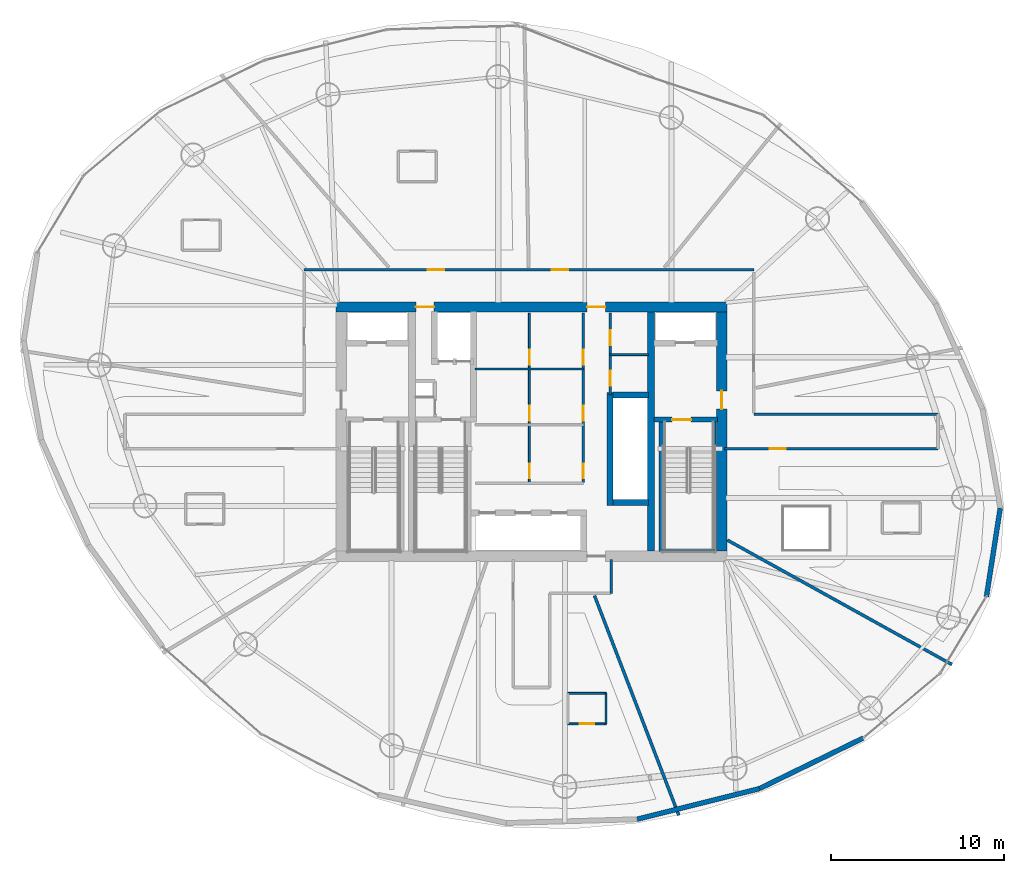
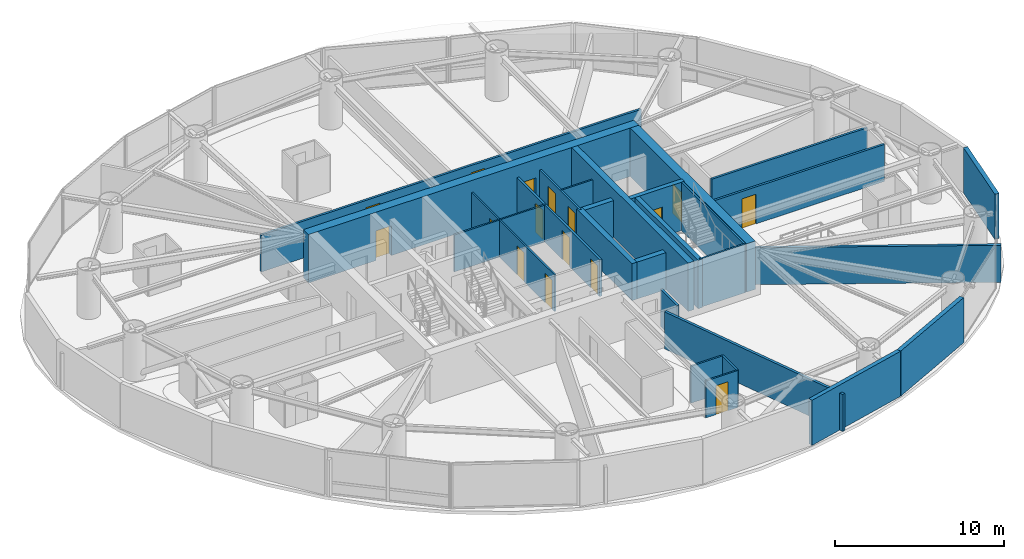
# One storey, part 15 of 20: 27 walls, 16 doors, 16 openings.
"""IFC4 building model written with IfcOpenShell, lengths in metres."""

from ifc_helpers import new_model, si_unit, direction, frame, frame_2d, origin, place, context, subcontext, project, spatial, rectangle, extrude, material, layer, layer_set, type_object, element, fill, save


model = new_model("IFC4")

# Units and contexts
model_context = context("Model", 3, precision=1e-05, world=origin(), true_north=direction((0.0, 1.0)))
body_context = subcontext(model_context, "Body", "Model", "MODEL_VIEW")
ifc_project = project(units=[si_unit("LENGTHUNIT", "METRE"), si_unit("AREAUNIT", "SQUARE_METRE"), si_unit("VOLUMEUNIT", "CUBIC_METRE"), si_unit("PLANEANGLEUNIT", "RADIAN"), si_unit("MASSUNIT", "GRAM", prefix="KILO")], contexts=[model_context])

# Site, building, storey
site_placement = place(None, origin())
site = spatial("IfcSite", under=ifc_project, at=site_placement, CompositionType="ELEMENT")
building_placement = place(site_placement, origin())
building = spatial("IfcBuilding", under=site, at=building_placement, Name="Bramvorn Convention Spire", CompositionType="ELEMENT")
storey_placement = place(building_placement, frame((0.0, 0.0, 113.300048828125)))
storey = spatial("IfcBuildingStorey", under=building, at=storey_placement, Name="L27", CompositionType="ELEMENT", Elevation=113.300048828125)

# Wall, openings, doors
ifc_material_1 = material(Name="Concrete C60/70", Category="concrete")
ifc_layer_1 = layer(ifc_material_1, 0.60009765625)
ifc_layer_set_1 = layer_set([ifc_layer_1], Name="Concrete C60/70 - WL-CORE-600")
wall_type_1 = type_object("IfcWallType", Name="WL-CORE-600", PredefinedType="SHEAR", material=ifc_layer_set_1)
wall_1_placement = place(storey_placement, frame((26.699951171875, 33.199951171875, 0.0), z_axis=(0.0, 0.0, 1.0), x_axis=(1.0, 0.0, 0.0)))
wall_1 = element("IfcWall", 1, at=wall_1_placement, inside=storey, type_object=wall_type_1, Name="L27 North RC core shear wall", PredefinedType="SHEAR", context=body_context, shape_type="SweptSolid", body=[
    extrude(rectangle(XDim=22.60009765625, YDim=0.60009765625, at=frame_2d((11.300048828125, 0.0))), origin(), (0.0, 0.0, 1.0), 3.5),
])
opening_1_placement = place(wall_1_placement, frame((4.6201171875, 0.0, 0.0)))
opening_1 = element("IfcOpeningElement", 2, at=opening_1_placement, cuts=wall_1, Name="Opening DL-105", PredefinedType="OPENING", context=body_context, shape_type="SweptSolid", body=[
    extrude(rectangle(XDim=1.050048828125, YDim=2.14990234375, at=frame_2d((0.52490234375, 1.074951171875))), frame((0.0, 0.31005859375, 0.0), z_axis=(0.0, -1.0, 0.0), x_axis=(1.0, 0.0, 0.0)), (0.0, 0.0, 1.0), 0.6201171875),
])
opening_2_placement = place(wall_1_placement, frame((14.52001953125, 0.0, 0.0)))
opening_2 = element("IfcOpeningElement", 3, at=opening_2_placement, cuts=wall_1, Name="Opening DL-105", PredefinedType="OPENING", context=body_context, shape_type="SweptSolid", body=[
    extrude(rectangle(XDim=1.050048828125, YDim=2.14990234375, at=frame_2d((0.52490234375, 1.074951171875))), frame((0.0, 0.31005859375, 0.0), z_axis=(0.0, -1.0, 0.0), x_axis=(1.0, 0.0, 0.0)), (0.0, 0.0, 1.0), 0.6201171875),
])
ifc_material_2 = material(Name="Smoke-Sealed Fire Lobby Timber-Core Door", Category="wood")
door_type_1 = type_object("IfcDoorType", Name="DR-LOBBY-1050", OperationType="NOTDEFINED", PredefinedType="DOOR", material=ifc_material_2)
door_1_placement = place(opening_1_placement, origin())
door_1 = element("IfcDoor", 4, at=door_1_placement, inside=storey, type_object=door_type_1, Name="L27 Service & Stair ST3 Lobby north corridor door", OperationType="SINGLE_SWING_LEFT", OverallHeight=2.14990234375, OverallWidth=1.050048828125, PredefinedType="DOOR", context=body_context, shape_type="SweptSolid", body=[
    extrude(rectangle(XDim=1.050048828125, YDim=2.14990234375, at=frame_2d((0.52490234375, 1.074951171875))), frame((0.0, 0.02490234375, 0.0), z_axis=(0.0, -1.0, 0.0), x_axis=(1.0, 0.0, 0.0)), (0.0, 0.0, 1.0), 0.050048828125),
])
fill(opening_1, door_1)
door_2_placement = place(opening_2_placement, origin())
door_2 = element("IfcDoor", 5, at=door_2_placement, inside=storey, type_object=door_type_1, Name="L27 North Lift Lobby fire door", OperationType="SINGLE_SWING_LEFT", OverallHeight=2.14990234375, OverallWidth=1.050048828125, PredefinedType="DOOR", context=body_context, shape_type="SweptSolid", body=[
    extrude(rectangle(XDim=1.050048828125, YDim=2.14990234375, at=frame_2d((0.52490234375, 1.074951171875))), frame((0.0, 0.02490234375, 0.0), z_axis=(0.0, -1.0, 0.0), x_axis=(1.0, 0.0, 0.0)), (0.0, 0.0, 1.0), 0.050048828125),
])
fill(opening_2, door_2)

# Wall, opening, door
wall_2_placement = place(storey_placement, frame((49.0, 19.10009765625, 0.0), z_axis=(0.0, 0.0, 1.0), x_axis=(0.0, 1.0, 0.0)))
wall_2 = element("IfcWall", 6, at=wall_2_placement, inside=storey, type_object=wall_type_1, Name="L27 East RC core shear wall", PredefinedType="SHEAR", context=body_context, shape_type="SweptSolid", body=[
    extrude(rectangle(XDim=13.7998046875, YDim=0.60009765625, at=frame_2d((6.89990234375, 0.0))), origin(), (0.0, 0.0, 1.0), 3.5),
])
opening_3_placement = place(wall_2_placement, frame((8.199951171875, 0.0, 0.0)))
opening_3 = element("IfcOpeningElement", 7, at=opening_3_placement, cuts=wall_2, Name="Opening DL-105", PredefinedType="OPENING", context=body_context, shape_type="SweptSolid", body=[
    extrude(rectangle(XDim=1.050048828125, YDim=2.14990234375, at=frame_2d((0.52490234375, 1.074951171875))), frame((0.0, 0.31005859375, 0.0), z_axis=(0.0, -1.0, 0.0), x_axis=(1.0, 0.0, 0.0)), (0.0, 0.0, 1.0), 0.6201171875),
])
door_3_placement = place(opening_3_placement, origin())
door_3 = element("IfcDoor", 8, at=door_3_placement, inside=storey, type_object=door_type_1, Name="L27 East Firefighting Lobby corridor door", OperationType="SINGLE_SWING_LEFT", OverallHeight=2.14990234375, OverallWidth=1.050048828125, PredefinedType="DOOR", context=body_context, shape_type="SweptSolid", body=[
    extrude(rectangle(XDim=1.050048828125, YDim=2.14990234375, at=frame_2d((0.52490234375, 1.074951171875))), frame((0.0, 0.02490234375, 0.0), z_axis=(0.0, -1.0, 0.0), x_axis=(1.0, 0.0, 0.0)), (0.0, 0.0, 1.0), 0.050048828125),
])
fill(opening_3, door_3)

# Walls
ifc_material_3 = material(Name="Concrete C50/60", Category="concrete")
ifc_layer_2 = layer(ifc_material_3, 0.35009765625)
ifc_layer_set_2 = layer_set([ifc_layer_2], Name="Concrete C50/60 - WL-CORE-INT-350")
wall_type_2 = type_object("IfcWallType", Name="WL-CORE-INT-350", PredefinedType="SHEAR", material=ifc_layer_set_2)
wall_3_placement = place(storey_placement, frame((42.550048828125, 21.72998046875, 0.0), z_axis=(0.0, 0.0, 1.0), x_axis=(0.0, 1.0, 0.0)))
element("IfcWall", 9, at=wall_3_placement, inside=storey, type_object=wall_type_2, Name="L27 High-rise lift bank west wall", PredefinedType="SHEAR", context=body_context, shape_type="SweptSolid", body=[
    extrude(rectangle(XDim=6.5400390625, YDim=0.35009765625, at=frame_2d((3.27001953125, 0.0))), origin(), (0.0, 0.0, 1.0), 2.675048828125),
])
for number, where, z_axis, x_axis, name in (
    (10, (42.719970703125, 21.89990234375, 0.0), (0.0, 0.0, 1.0), (1.0, 0.0, 0.0), "L27 High-rise lift bank south wall"),
    (11, (42.719970703125, 28.10009765625, 0.0), (0.0, 0.0, 1.0), (1.0, 0.0, 0.0), "L27 High-rise lift bank north wall"),
):
    element("IfcWall", number, at=place(storey_placement, frame(where, z_axis=z_axis, x_axis=x_axis)), inside=storey, type_object=wall_type_2, Name=name, PredefinedType="SHEAR", context=body_context, shape_type="SweptSolid", body=[
        extrude(rectangle(XDim=2.030029296875, YDim=0.35009765625, at=frame_2d((1.01513671875, 0.0))), origin(), (0.0, 0.0, 1.0), 2.675048828125),
    ])
ifc_layer_3 = layer(ifc_material_1, 0.39990234375)
ifc_layer_set_3 = layer_set([ifc_layer_3], Name="Concrete C60/70 - WL-CORE-INT-400")
wall_type_3 = type_object("IfcWallType", Name="WL-CORE-INT-400", PredefinedType="SHEAR", material=ifc_layer_set_3)
wall_4_placement = place(storey_placement, frame((44.89990234375, 19.10009765625, 0.0), z_axis=(0.0, 0.0, 1.0), x_axis=(0.0, 1.0, 0.0)))
element("IfcWall", 12, at=wall_4_placement, inside=storey, type_object=wall_type_3, Name="L27 East internal core shear web", PredefinedType="SHEAR", context=body_context, shape_type="SweptSolid", body=[
    extrude(rectangle(XDim=13.7998046875, YDim=0.39990234375, at=frame_2d((6.89990234375, 0.0))), origin(), (0.0, 0.0, 1.0), 3.5),
])
ifc_material_4 = material(Name="Precast Concrete C40/50 with Bronze Terracotta Rainscreen", Category="masonry")
ifc_layer_4 = layer(ifc_material_4, 0.300048828125)
ifc_layer_set_4 = layer_set([ifc_layer_4], Name="Precast Concrete C40/50 with Bronze Terracotta Rainscreen - WL-EXT-BRONZE-300")
wall_type_4 = type_object("IfcWallType", Name="WL-EXT-BRONZE-300", PredefinedType="SOLIDWALL", material=ifc_layer_set_4)
wall_5_placement = place(storey_placement, frame((65.098876953125, 21.565673828125, 0.0), z_axis=(0.0, 0.0, 1.0), x_axis=(-0.154237267415, -0.988033838156, 0.0)))
element("IfcWall", 13, at=wall_5_placement, inside=storey, type_object=wall_type_4, Name="L27 expressed bronze Gothic lancet pier wall 01", PredefinedType="SOLIDWALL", context=body_context, shape_type="SweptSolid", body=[
    extrude(rectangle(XDim=5.174560546875, YDim=0.280029296875, at=frame_2d((2.58740234375, 0.0))), origin(), (0.0, 0.0, 1.0), 3.260009765625),
])
wall_6_placement = place(storey_placement, frame((51.181396484375, 5.35791015625, 0.0), z_axis=(0.0, 0.0, 1.0), x_axis=(-0.969982762394, -0.243173684142, 0.0)))
element("IfcWall", 14, at=wall_6_placement, inside=storey, type_object=wall_type_4, Name="L27 expressed bronze Gothic lancet pier wall 21", PredefinedType="SOLIDWALL", context=body_context, shape_type="SweptSolid", body=[
    extrude(rectangle(XDim=7.2919921875, YDim=0.280029296875, at=frame_2d((3.64599609375, 0.0))), origin(), (0.0, 0.0, 1.0), 3.260009765625),
])
wall_7_placement = place(storey_placement, frame((57.173828125, 8.27587890625, 0.0), z_axis=(0.0, 0.0, 1.0), x_axis=(-0.899073796804, -0.437797108144, 0.0)))
element("IfcWall", 15, at=wall_7_placement, inside=storey, type_object=wall_type_4, Name="L27 expressed bronze Gothic lancet pier wall 22", PredefinedType="SOLIDWALL", context=body_context, shape_type="SweptSolid", body=[
    extrude(rectangle(XDim=6.6650390625, YDim=0.280029296875, at=frame_2d((3.33251953125, 0.0))), origin(), (0.0, 0.0, 1.0), 3.260009765625),
])

# Wall, openings, doors
ifc_material_5 = material(Name="Lightweight En-Suite & Wet-Wall Partition", Category="gypsum")
ifc_layer_5 = layer(ifc_material_5, 0.110107421875)
ifc_layer_set_5 = layer_set([ifc_layer_5], Name="Lightweight En-Suite & Wet-Wall Partition - WL-PART-110")
wall_type_5 = type_object("IfcWallType", Name="WL-PART-110", PredefinedType="PARTITIONING", material=ifc_layer_set_5)
wall_8_placement = place(storey_placement, frame((37.8798828125, 23.050048828125, 0.0), z_axis=(0.0, 0.0, 1.0), x_axis=(0.0, 1.0, 0.0)))
wall_8 = element("IfcWall", 16, at=wall_8_placement, inside=storey, type_object=wall_type_5, Name="L27 KB center wall", PredefinedType="PARTITIONING", context=body_context, shape_type="SweptSolid", body=[
    extrude(rectangle(XDim=9.800048828125, YDim=0.110107421875, at=frame_2d((4.89990234375, 0.0))), origin(), (0.0, 0.0, 1.0), 2.675048828125),
])
opening_4_placement = place(wall_8_placement, frame((0.25, 0.0, 0.0)))
opening_4 = element("IfcOpeningElement", 17, at=opening_4_placement, cuts=wall_8, Name="Opening DC-085", PredefinedType="OPENING", context=body_context, shape_type="SweptSolid", body=[
    extrude(rectangle(XDim=0.85009765625, YDim=2.10009765625, at=frame_2d((0.425048828125, 1.050048828125))), frame((0.0, 0.06494140625, 0.0), z_axis=(0.0, -1.0, 0.0), x_axis=(1.0, 0.0, 0.0)), (0.0, 0.0, 1.0), 0.130126953125),
])
opening_5_placement = place(wall_8_placement, frame((3.58203125, 0.0, 0.0)))
opening_5 = element("IfcOpeningElement", 18, at=opening_5_placement, cuts=wall_8, Name="Opening DC-085", PredefinedType="OPENING", context=body_context, shape_type="SweptSolid", body=[
    extrude(rectangle(XDim=0.85009765625, YDim=2.10009765625, at=frame_2d((0.425048828125, 1.050048828125))), frame((0.0, 0.06494140625, 0.0), z_axis=(0.0, -1.0, 0.0), x_axis=(1.0, 0.0, 0.0)), (0.0, 0.0, 1.0), 0.130126953125),
])
opening_6_placement = place(wall_8_placement, frame((6.81591796875, 0.0, 0.0)))
opening_6 = element("IfcOpeningElement", 19, at=opening_6_placement, cuts=wall_8, Name="Opening DC-085", PredefinedType="OPENING", context=body_context, shape_type="SweptSolid", body=[
    extrude(rectangle(XDim=0.85009765625, YDim=2.10009765625, at=frame_2d((0.425048828125, 1.050048828125))), frame((0.0, 0.06494140625, 0.0), z_axis=(0.0, -1.0, 0.0), x_axis=(1.0, 0.0, 0.0)), (0.0, 0.0, 1.0), 0.130126953125),
])
ifc_material_6 = material(Name="Fire-Rated Core Washroom & IDF Door", Category="wood")
door_type_2 = type_object("IfcDoorType", Name="DR-CORE-850", OperationType="NOTDEFINED", PredefinedType="DOOR", material=ifc_material_6)
door_4_placement = place(opening_4_placement, origin())
door_4 = element("IfcDoor", 20, at=door_4_placement, inside=storey, type_object=door_type_2, Name="L27 Core Linen Store door", OperationType="SINGLE_SWING_LEFT", OverallHeight=2.10009765625, OverallWidth=0.85009765625, PredefinedType="DOOR", context=body_context, shape_type="SweptSolid", body=[
    extrude(rectangle(XDim=0.85009765625, YDim=2.10009765625, at=frame_2d((0.425048828125, 1.050048828125))), frame((0.0, 0.02490234375, 0.0), z_axis=(0.0, -1.0, 0.0), x_axis=(1.0, 0.0, 0.0)), (0.0, 0.0, 1.0), 0.050048828125),
])
fill(opening_4, door_4)
door_5_placement = place(opening_5_placement, origin())
door_5 = element("IfcDoor", 21, at=door_5_placement, inside=storey, type_object=door_type_2, Name="L27 Core Metering Closet door", OperationType="SINGLE_SWING_LEFT", OverallHeight=2.10009765625, OverallWidth=0.85009765625, PredefinedType="DOOR", context=body_context, shape_type="SweptSolid", body=[
    extrude(rectangle(XDim=0.85009765625, YDim=2.10009765625, at=frame_2d((0.425048828125, 1.050048828125))), frame((0.0, 0.02490234375, 0.0), z_axis=(0.0, -1.0, 0.0), x_axis=(1.0, 0.0, 0.0)), (0.0, 0.0, 1.0), 0.050048828125),
])
fill(opening_5, door_5)
door_6_placement = place(opening_6_placement, origin())
door_6 = element("IfcDoor", 22, at=door_6_placement, inside=storey, type_object=door_type_2, Name="L27 Core Janitor Supply door", OperationType="SINGLE_SWING_LEFT", OverallHeight=2.10009765625, OverallWidth=0.85009765625, PredefinedType="DOOR", context=body_context, shape_type="SweptSolid", body=[
    extrude(rectangle(XDim=0.85009765625, YDim=2.10009765625, at=frame_2d((0.425048828125, 1.050048828125))), frame((0.0, 0.02490234375, 0.0), z_axis=(0.0, -1.0, 0.0), x_axis=(1.0, 0.0, 0.0)), (0.0, 0.0, 1.0), 0.050048828125),
])
fill(opening_6, door_6)

# Walls
wall_9_placement = place(storey_placement, frame((34.75, 29.615966796875, 0.0), z_axis=(0.0, 0.0, 1.0), x_axis=(1.0, 0.0, 0.0)))
element("IfcWall", 23, at=wall_9_placement, inside=storey, type_object=wall_type_5, Name="L27 KB divider 2", PredefinedType="PARTITIONING", context=body_context, shape_type="SweptSolid", body=[
    extrude(rectangle(XDim=6.25, YDim=0.110107421875, at=frame_2d((3.125, 0.0))), origin(), (0.0, 0.0, 1.0), 2.675048828125),
])
wall_10_placement = place(storey_placement, frame((42.550048828125, 30.449951171875, 0.0), z_axis=(0.0, 0.0, 1.0), x_axis=(1.0, 0.0, 0.0)))
element("IfcWall", 24, at=wall_10_placement, inside=storey, type_object=wall_type_5, Name="L27 KB NE divider", PredefinedType="PARTITIONING", context=body_context, shape_type="SweptSolid", body=[
    extrude(rectangle(XDim=2.199951171875, YDim=0.110107421875, at=frame_2d((1.10009765625, 0.0))), origin(), (0.0, 0.0, 1.0), 2.675048828125),
])

# Wall, opening, door
wall_11_placement = place(storey_placement, frame((40.10888671875, 9.101806640625, 0.0), z_axis=(0.0, 0.0, 1.0), x_axis=(1.0, 0.0, 0.0)))
wall_11 = element("IfcWall", 25, at=wall_11_placement, inside=storey, type_object=wall_type_5, Name="Hotel Suite 2707 en-suite south wall", PredefinedType="PARTITIONING", context=body_context, shape_type="SweptSolid", body=[
    extrude(rectangle(XDim=2.2001953125, YDim=0.110107421875, at=frame_2d((1.10009765625, 0.0))), origin(), (0.0, 0.0, 1.0), 2.675048828125),
])
opening_7_placement = place(wall_11_placement, frame((0.679931640625, 0.0, 0.0)))
opening_7 = element("IfcOpeningElement", 26, at=opening_7_placement, cuts=wall_11, Name="Opening DI-085", PredefinedType="OPENING", context=body_context, shape_type="SweptSolid", body=[
    extrude(rectangle(XDim=0.85009765625, YDim=2.10009765625, at=frame_2d((0.425048828125, 1.050048828125))), frame((0.0, 0.06494140625, 0.0), z_axis=(0.0, -1.0, 0.0), x_axis=(1.0, 0.0, 0.0)), (0.0, 0.0, 1.0), 0.130126953125),
])
ifc_material_7 = material(Name="En-Suite & Restroom Privacy Door", Category="wood")
door_type_3 = type_object("IfcDoorType", Name="DR-INT-850", OperationType="NOTDEFINED", PredefinedType="DOOR", material=ifc_material_7)
door_7_placement = place(opening_7_placement, origin())
door_7 = element("IfcDoor", 27, at=door_7_placement, inside=storey, type_object=door_type_3, Name="Hotel Suite 2707 En-Suite Bathroom door", OperationType="SINGLE_SWING_LEFT", OverallHeight=2.10009765625, OverallWidth=0.85009765625, PredefinedType="DOOR", context=body_context, shape_type="SweptSolid", body=[
    extrude(rectangle(XDim=0.85009765625, YDim=2.10009765625, at=frame_2d((0.425048828125, 1.050048828125))), frame((0.0, 0.02490234375, 0.0), z_axis=(0.0, -1.0, 0.0), x_axis=(1.0, 0.0, 0.0)), (0.0, 0.0, 1.0), 0.050048828125),
])
fill(opening_7, door_7)

# Walls
wall_12_placement = place(storey_placement, frame((40.10888671875, 10.86181640625, 0.0), z_axis=(0.0, 0.0, 1.0), x_axis=(1.0, 0.0, 0.0)))
element("IfcWall", 28, at=wall_12_placement, inside=storey, type_object=wall_type_5, Name="Hotel Suite 2707 en-suite north wall", PredefinedType="PARTITIONING", context=body_context, shape_type="SweptSolid", body=[
    extrude(rectangle(XDim=2.2001953125, YDim=0.110107421875, at=frame_2d((1.10009765625, 0.0))), origin(), (0.0, 0.0, 1.0), 2.675048828125),
])
wall_13_placement = place(storey_placement, frame((42.30908203125, 9.101806640625, 0.0), z_axis=(0.0, 0.0, 1.0), x_axis=(0.0, 1.0, 0.0)))
element("IfcWall", 29, at=wall_13_placement, inside=storey, type_object=wall_type_5, Name="Hotel Suite 2707 en-suite east wall", PredefinedType="PARTITIONING", context=body_context, shape_type="SweptSolid", body=[
    extrude(rectangle(XDim=1.760009765625, YDim=0.110107421875, at=frame_2d((0.8798828125, 0.0))), origin(), (0.0, 0.0, 1.0), 2.675048828125),
])

# Wall, openings, doors
ifc_material_8 = material(Name="Metal-Stud Demountable Office Partition", Category="gypsum")
ifc_layer_6 = layer(ifc_material_8, 0.1298828125)
ifc_layer_set_6 = layer_set([ifc_layer_6], Name="Metal-Stud Demountable Office Partition - WL-PART-130")
wall_type_6 = type_object("IfcWallType", Name="WL-PART-130", PredefinedType="PARTITIONING", material=ifc_layer_set_6)
wall_14_placement = place(storey_placement, frame((42.550048828125, 28.10009765625, 0.0), z_axis=(0.0, 0.0, 1.0), x_axis=(0.0, 1.0, 0.0)))
wall_14 = element("IfcWall", 30, at=wall_14_placement, inside=storey, type_object=wall_type_6, Name="L27 KB NE split wall", PredefinedType="PARTITIONING", context=body_context, shape_type="SweptSolid", body=[
    extrude(rectangle(XDim=4.75, YDim=0.1298828125, at=frame_2d((2.375, 0.0))), origin(), (0.0, 0.0, 1.0), 2.675048828125),
])
opening_8_placement = place(wall_14_placement, frame((0.550048828125, 0.0, 0.0)))
opening_8 = element("IfcOpeningElement", 31, at=opening_8_placement, cuts=wall_14, Name="Opening DC-085", PredefinedType="OPENING", context=body_context, shape_type="SweptSolid", body=[
    extrude(rectangle(XDim=0.85009765625, YDim=2.10009765625, at=frame_2d((0.425048828125, 1.050048828125))), frame((0.0, 0.074951171875, 0.0), z_axis=(0.0, -1.0, 0.0), x_axis=(1.0, 0.0, 0.0)), (0.0, 0.0, 1.0), 0.14990234375),
])
opening_9_placement = place(wall_14_placement, frame((2.89990234375, 0.0, 0.0)))
opening_9 = element("IfcOpeningElement", 32, at=opening_9_placement, cuts=wall_14, Name="Opening DC-085", PredefinedType="OPENING", context=body_context, shape_type="SweptSolid", body=[
    extrude(rectangle(XDim=0.85009765625, YDim=2.10009765625, at=frame_2d((0.425048828125, 1.050048828125))), frame((0.0, 0.074951171875, 0.0), z_axis=(0.0, -1.0, 0.0), x_axis=(1.0, 0.0, 0.0)), (0.0, 0.0, 1.0), 0.14990234375),
])
door_8_placement = place(opening_8_placement, origin())
door_8 = element("IfcDoor", 33, at=door_8_placement, inside=storey, type_object=door_type_2, Name="L27 Core Staff WC door", OperationType="SINGLE_SWING_LEFT", OverallHeight=2.10009765625, OverallWidth=0.85009765625, PredefinedType="DOOR", context=body_context, shape_type="SweptSolid", body=[
    extrude(rectangle(XDim=0.85009765625, YDim=2.10009765625, at=frame_2d((0.425048828125, 1.050048828125))), frame((0.0, 0.02490234375, 0.0), z_axis=(0.0, -1.0, 0.0), x_axis=(1.0, 0.0, 0.0)), (0.0, 0.0, 1.0), 0.050048828125),
])
fill(opening_8, door_8)
door_9_placement = place(opening_9_placement, origin())
door_9 = element("IfcDoor", 34, at=door_9_placement, inside=storey, type_object=door_type_2, Name="L27 Core Data Closet door", OperationType="SINGLE_SWING_LEFT", OverallHeight=2.10009765625, OverallWidth=0.85009765625, PredefinedType="DOOR", context=body_context, shape_type="SweptSolid", body=[
    extrude(rectangle(XDim=0.85009765625, YDim=2.10009765625, at=frame_2d((0.425048828125, 1.050048828125))), frame((0.0, 0.02490234375, 0.0), z_axis=(0.0, -1.0, 0.0), x_axis=(1.0, 0.0, 0.0)), (0.0, 0.0, 1.0), 0.050048828125),
])
fill(opening_9, door_9)

ifc_material_9 = material(Name="Acoustic Metal-Stud Tenant/Corridor Partition", Category="gypsum")
ifc_layer_7 = layer(ifc_material_9, 0.14990234375)
ifc_layer_set_7 = layer_set([ifc_layer_7], Name="Acoustic Metal-Stud Tenant/Corridor Partition - WL-PART-150")
wall_type_7 = type_object("IfcWallType", Name="WL-PART-150", PredefinedType="PARTITIONING", material=ifc_layer_set_7)
wall_15_placement = place(storey_placement, frame((41.0, 23.050048828125, 0.0), z_axis=(0.0, 0.0, 1.0), x_axis=(0.0, 1.0, 0.0)))
wall_15 = element("IfcWall", 35, at=wall_15_placement, inside=storey, type_object=wall_type_7, Name="L27 KB east core wall", PredefinedType="PARTITIONING", context=body_context, shape_type="SweptSolid", body=[
    extrude(rectangle(XDim=9.800048828125, YDim=0.14990234375, at=frame_2d((4.89990234375, 0.0))), origin(), (0.0, 0.0, 1.0), 2.675048828125),
])
opening_10_placement = place(wall_15_placement, frame((0.25, 0.0, 0.0)))
opening_10 = element("IfcOpeningElement", 36, at=opening_10_placement, cuts=wall_15, Name="Opening DC-085", PredefinedType="OPENING", context=body_context, shape_type="SweptSolid", body=[
    extrude(rectangle(XDim=0.85009765625, YDim=2.10009765625, at=frame_2d((0.425048828125, 1.050048828125))), frame((0.0, 0.0849609375, 0.0), z_axis=(0.0, -1.0, 0.0), x_axis=(1.0, 0.0, 0.0)), (0.0, 0.0, 1.0), 0.169921875),
])
opening_11_placement = place(wall_15_placement, frame((3.58203125, 0.0, 0.0)))
opening_11 = element("IfcOpeningElement", 37, at=opening_11_placement, cuts=wall_15, Name="Opening DC-085", PredefinedType="OPENING", context=body_context, shape_type="SweptSolid", body=[
    extrude(rectangle(XDim=0.85009765625, YDim=2.10009765625, at=frame_2d((0.425048828125, 1.050048828125))), frame((0.0, 0.0849609375, 0.0), z_axis=(0.0, -1.0, 0.0), x_axis=(1.0, 0.0, 0.0)), (0.0, 0.0, 1.0), 0.169921875),
])
opening_12_placement = place(wall_15_placement, frame((6.81591796875, 0.0, 0.0)))
opening_12 = element("IfcOpeningElement", 38, at=opening_12_placement, cuts=wall_15, Name="Opening DC-085", PredefinedType="OPENING", context=body_context, shape_type="SweptSolid", body=[
    extrude(rectangle(XDim=0.85009765625, YDim=2.10009765625, at=frame_2d((0.425048828125, 1.050048828125))), frame((0.0, 0.0849609375, 0.0), z_axis=(0.0, -1.0, 0.0), x_axis=(1.0, 0.0, 0.0)), (0.0, 0.0, 1.0), 0.169921875),
])
door_10_placement = place(opening_10_placement, origin())
door_10 = element("IfcDoor", 39, at=door_10_placement, inside=storey, type_object=door_type_2, Name="L27 Accessible Core Restroom door", OperationType="SINGLE_SWING_LEFT", OverallHeight=2.10009765625, OverallWidth=0.85009765625, PredefinedType="DOOR", context=body_context, shape_type="SweptSolid", body=[
    extrude(rectangle(XDim=0.85009765625, YDim=2.10009765625, at=frame_2d((0.425048828125, 1.050048828125))), frame((0.0, 0.02490234375, 0.0), z_axis=(0.0, -1.0, 0.0), x_axis=(1.0, 0.0, 0.0)), (0.0, 0.0, 1.0), 0.050048828125),
])
fill(opening_10, door_10)
door_11_placement = place(opening_11_placement, origin())
door_11 = element("IfcDoor", 40, at=door_11_placement, inside=storey, type_object=door_type_2, Name="L27 Floor Housekeeping & Linen Store door", OperationType="SINGLE_SWING_LEFT", OverallHeight=2.10009765625, OverallWidth=0.85009765625, PredefinedType="DOOR", context=body_context, shape_type="SweptSolid", body=[
    extrude(rectangle(XDim=0.85009765625, YDim=2.10009765625, at=frame_2d((0.425048828125, 1.050048828125))), frame((0.0, 0.02490234375, 0.0), z_axis=(0.0, -1.0, 0.0), x_axis=(1.0, 0.0, 0.0)), (0.0, 0.0, 1.0), 0.050048828125),
])
fill(opening_11, door_11)
door_12_placement = place(opening_12_placement, origin())
door_12 = element("IfcDoor", 41, at=door_12_placement, inside=storey, type_object=door_type_2, Name="L27 Gender-Neutral Core WC door", OperationType="SINGLE_SWING_LEFT", OverallHeight=2.10009765625, OverallWidth=0.85009765625, PredefinedType="DOOR", context=body_context, shape_type="SweptSolid", body=[
    extrude(rectangle(XDim=0.85009765625, YDim=2.10009765625, at=frame_2d((0.425048828125, 1.050048828125))), frame((0.0, 0.02490234375, 0.0), z_axis=(0.0, -1.0, 0.0), x_axis=(1.0, 0.0, 0.0)), (0.0, 0.0, 1.0), 0.050048828125),
])
fill(opening_12, door_12)

wall_16_placement = place(storey_placement, frame((24.85009765625, 35.35009765625, 0.0), z_axis=(0.0, 0.0, 1.0), x_axis=(1.0, 0.0, 0.0)))
wall_16 = element("IfcWall", 42, at=wall_16_placement, inside=storey, type_object=wall_type_7, Name="L27 North gallery wall", PredefinedType="PARTITIONING", context=body_context, shape_type="SweptSolid", body=[
    extrude(rectangle(XDim=26.0, YDim=0.14990234375, at=frame_2d((13.0, 0.0))), origin(), (0.0, 0.0, 1.0), 2.675048828125),
])
opening_13_placement = place(wall_16_placement, frame((14.32470703125, 0.0, 0.0)))
opening_13 = element("IfcOpeningElement", 43, at=opening_13_placement, cuts=wall_16, Name="Opening DH-095", PredefinedType="OPENING", context=body_context, shape_type="SweptSolid", body=[
    extrude(rectangle(XDim=0.949951171875, YDim=2.14990234375, at=frame_2d((0.47509765625, 1.074951171875))), frame((0.0, 0.0849609375, 0.0), z_axis=(0.0, -1.0, 0.0), x_axis=(1.0, 0.0, 0.0)), (0.0, 0.0, 1.0), 0.169921875),
])
opening_14_placement = place(wall_16_placement, frame((7.162353515625, 0.0, 0.0)))
opening_14 = element("IfcOpeningElement", 44, at=opening_14_placement, cuts=wall_16, Name="Opening DH-095", PredefinedType="OPENING", context=body_context, shape_type="SweptSolid", body=[
    extrude(rectangle(XDim=0.949951171875, YDim=2.14990234375, at=frame_2d((0.47509765625, 1.074951171875))), frame((0.0, 0.0849609375, 0.0), z_axis=(0.0, -1.0, 0.0), x_axis=(1.0, 0.0, 0.0)), (0.0, 0.0, 1.0), 0.169921875),
])
ifc_material_10 = material(Name="Solid-Core Acoustic Guestroom Entry Door", Category="wood")
door_type_4 = type_object("IfcDoorType", Name="DR-HOTEL-950", OperationType="NOTDEFINED", PredefinedType="DOOR", material=ifc_material_10)
door_13_placement = place(opening_13_placement, origin())
door_13 = element("IfcDoor", 45, at=door_13_placement, inside=storey, type_object=door_type_4, Name="L27 Sky Garden Lounge corridor door", OperationType="SINGLE_SWING_RIGHT", OverallHeight=2.14990234375, OverallWidth=0.949951171875, PredefinedType="DOOR", context=body_context, shape_type="SweptSolid", body=[
    extrude(rectangle(XDim=0.949951171875, YDim=2.14990234375, at=frame_2d((0.47509765625, 1.074951171875))), frame((0.0, 0.02490234375, 0.0), z_axis=(0.0, -1.0, 0.0), x_axis=(1.0, 0.0, 0.0)), (0.0, 0.0, 1.0), 0.050048828125),
])
fill(opening_13, door_13)
door_14_placement = place(opening_14_placement, origin())
door_14 = element("IfcDoor", 46, at=door_14_placement, inside=storey, type_object=door_type_4, Name="Hotel Suite 2703 entry door", OperationType="SINGLE_SWING_RIGHT", OverallHeight=2.14990234375, OverallWidth=0.949951171875, PredefinedType="DOOR", context=body_context, shape_type="SweptSolid", body=[
    extrude(rectangle(XDim=0.949951171875, YDim=2.14990234375, at=frame_2d((0.47509765625, 1.074951171875))), frame((0.0, 0.02490234375, 0.0), z_axis=(0.0, -1.0, 0.0), x_axis=(1.0, 0.0, 0.0)), (0.0, 0.0, 1.0), 0.050048828125),
])
fill(opening_14, door_14)

# Wall
wall_17_placement = place(storey_placement, frame((50.85009765625, 27.0, 0.0), z_axis=(0.0, 0.0, 1.0), x_axis=(1.0, 0.0, 0.0)))
element("IfcWall", 47, at=wall_17_placement, inside=storey, type_object=wall_type_7, Name="L27 East wing spine north wall", PredefinedType="PARTITIONING", context=body_context, shape_type="SweptSolid", body=[
    extrude(rectangle(XDim=10.64990234375, YDim=0.14990234375, at=frame_2d((5.324951171875, 0.0))), origin(), (0.0, 0.0, 1.0), 2.675048828125),
])

# Wall, opening, door
wall_18_placement = place(storey_placement, frame((49.14990234375, 25.0, 0.0), z_axis=(0.0, 0.0, 1.0), x_axis=(1.0, 0.0, 0.0)))
wall_18 = element("IfcWall", 48, at=wall_18_placement, inside=storey, type_object=wall_type_7, Name="L27 East wing spine south wall", PredefinedType="PARTITIONING", context=body_context, shape_type="SweptSolid", body=[
    extrude(rectangle(XDim=12.35009765625, YDim=0.14990234375, at=frame_2d((6.175048828125, 0.0))), origin(), (0.0, 0.0, 1.0), 2.675048828125),
])
opening_15_placement = place(wall_18_placement, frame((2.612548828125, 0.0, 0.0)))
opening_15 = element("IfcOpeningElement", 49, at=opening_15_placement, cuts=wall_18, Name="Opening DH-095", PredefinedType="OPENING", context=body_context, shape_type="SweptSolid", body=[
    extrude(rectangle(XDim=0.949951171875, YDim=2.14990234375, at=frame_2d((0.47509765625, 1.074951171875))), frame((0.0, 0.0849609375, 0.0), z_axis=(0.0, -1.0, 0.0), x_axis=(1.0, 0.0, 0.0)), (0.0, 0.0, 1.0), 0.169921875),
])
door_15_placement = place(opening_15_placement, origin())
door_15 = element("IfcDoor", 50, at=door_15_placement, inside=storey, type_object=door_type_4, Name="Hotel Suite 2709 entry door", OperationType="SINGLE_SWING_LEFT", OverallHeight=2.14990234375, OverallWidth=0.949951171875, PredefinedType="DOOR", context=body_context, shape_type="SweptSolid", body=[
    extrude(rectangle(XDim=0.949951171875, YDim=2.14990234375, at=frame_2d((0.47509765625, 1.074951171875))), frame((0.0, 0.02490234375, 0.0), z_axis=(0.0, -1.0, 0.0), x_axis=(1.0, 0.0, 0.0)), (0.0, 0.0, 1.0), 0.050048828125),
])
fill(opening_15, door_15)

# Walls
wall_19_placement = place(storey_placement, frame((42.60009765625, 16.64990234375, 0.0), z_axis=(0.0, 0.0, 1.0), x_axis=(0.0, 1.0, 0.0)))
element("IfcWall", 51, at=wall_19_placement, inside=storey, type_object=wall_type_7, Name="L27 South lift lobby east cheek", PredefinedType="PARTITIONING", context=body_context, shape_type="SweptSolid", body=[
    extrude(rectangle(XDim=1.9501953125, YDim=0.14990234375, at=frame_2d((0.97509765625, 0.0))), origin(), (0.0, 0.0, 1.0), 2.675048828125),
])
ifc_material_11 = material(Name="Double-Stud Acoustic Hotel/Suite Partition", Category="gypsum")
ifc_layer_8 = layer(ifc_material_11, 0.175048828125)
ifc_layer_set_8 = layer_set([ifc_layer_8], Name="Double-Stud Acoustic Hotel/Suite Partition - WL-PART-175")
wall_type_8 = type_object("IfcWallType", Name="WL-PART-175", PredefinedType="PARTITIONING", material=ifc_layer_set_8)
wall_20_placement = place(storey_placement, frame((41.642822265625, 16.510009765625, 0.0), z_axis=(0.0, 0.0, 1.0), x_axis=(0.358375658047, -0.933577467444, 0.0)))
element("IfcWall", 52, at=wall_20_placement, inside=storey, type_object=wall_type_8, Name="L27 Guestroom demising wall 8", PredefinedType="PARTITIONING", context=body_context, shape_type="SweptSolid", body=[
    extrude(rectangle(XDim=13.61181640625, YDim=0.175048828125, at=frame_2d((6.805908203125, 0.0))), origin(), (0.0, 0.0, 1.0), 2.675048828125),
])
wall_21_placement = place(storey_placement, frame((49.320068359375, 19.72509765625, 0.0), z_axis=(0.0, 0.0, 1.0), x_axis=(0.874623583145, -0.484802627681, 0.0)))
element("IfcWall", 53, at=wall_21_placement, inside=storey, type_object=wall_type_8, Name="L27 Guestroom demising wall 9", PredefinedType="PARTITIONING", context=body_context, shape_type="SweptSolid", body=[
    extrude(rectangle(XDim=14.854248046875, YDim=0.175048828125, at=frame_2d((7.42724609375, 0.0))), origin(), (0.0, 0.0, 1.0), 2.675048828125),
])

# Wall, opening, door
ifc_layer_9 = layer(ifc_material_3, 0.300048828125)
ifc_layer_set_9 = layer_set([ifc_layer_9], Name="Concrete C50/60 - WL-POD-STAIR-300")
wall_type_9 = type_object("IfcWallType", Name="WL-POD-STAIR-300", PredefinedType="SHEAR", material=ifc_layer_set_9)
wall_22_placement = place(storey_placement, frame((45.080078125, 26.68994140625, 0.0), z_axis=(0.0, 0.0, 1.0), x_axis=(1.0, 0.0, 0.0)))
wall_22 = element("IfcWall", 54, at=wall_22_placement, inside=storey, type_object=wall_type_9, Name="L27 ST2 north fire wall", PredefinedType="SHEAR", context=body_context, shape_type="SweptSolid", body=[
    extrude(rectangle(XDim=3.669921875, YDim=0.300048828125, at=frame_2d((1.8349609375, 0.0))), origin(), (0.0, 0.0, 1.0), 3.5),
])
opening_16_placement = place(wall_22_placement, frame((1.050048828125, 0.0, 0.0)))
opening_16 = element("IfcOpeningElement", 55, at=opening_16_placement, cuts=wall_22, Name="Opening DS-110", PredefinedType="OPENING", context=body_context, shape_type="SweptSolid", body=[
    extrude(rectangle(XDim=1.10009765625, YDim=2.14990234375, at=frame_2d((0.550048828125, 1.074951171875))), frame((0.0, 0.159912109375, 0.0), z_axis=(0.0, -1.0, 0.0), x_axis=(1.0, 0.0, 0.0)), (0.0, 0.0, 1.0), 0.320068359375),
])
ifc_material_12 = material(Name="Fire-Rated Hollow Steel Stairwell Door", Category="steel")
door_type_5 = type_object("IfcDoorType", Name="DR-STAIR-1100", OperationType="NOTDEFINED", PredefinedType="DOOR", material=ifc_material_12)
door_16_placement = place(opening_16_placement, origin())
door_16 = element("IfcDoor", 56, at=door_16_placement, inside=storey, type_object=door_type_5, Name="L27 Stair ST2 fire door", OperationType="SINGLE_SWING_RIGHT", OverallHeight=2.14990234375, OverallWidth=1.10009765625, PredefinedType="DOOR", context=body_context, shape_type="SweptSolid", body=[
    extrude(rectangle(XDim=1.10009765625, YDim=2.14990234375, at=frame_2d((0.550048828125, 1.074951171875))), frame((0.0, 0.02490234375, 0.0), z_axis=(0.0, -1.0, 0.0), x_axis=(1.0, 0.0, 0.0)), (0.0, 0.0, 1.0), 0.050048828125),
])
fill(opening_16, door_16)

# Walls
wall_23_placement = place(storey_placement, frame((45.510009765625, 19.050048828125, 0.0), z_axis=(0.0, 0.0, 1.0), x_axis=(0.0, 1.0, 0.0)))
element("IfcWall", 57, at=wall_23_placement, inside=storey, type_object=wall_type_9, Name="L27 ST2 west bearing wall", PredefinedType="SHEAR", context=body_context, shape_type="SweptSolid", body=[
    extrude(rectangle(XDim=7.5, YDim=0.300048828125, at=frame_2d((3.75, 0.0))), origin(), (0.0, 0.0, 1.0), 3.5),
])
ifc_layer_10 = layer(ifc_material_3, 0.1201171875)
ifc_layer_set_10 = layer_set([ifc_layer_10], Name="Concrete C50/60 - WL-STAIR-RC-120")
wall_type_10 = type_object("IfcWallType", Name="WL-STAIR-RC-120", PredefinedType="SHEAR", material=ifc_layer_set_10)
wall_24_placement = place(storey_placement, frame((48.60498046875, 19.10009765625, 0.0), z_axis=(0.0, 0.0, 1.0), x_axis=(0.0, 1.0, 0.0)))
element("IfcWall", 58, at=wall_24_placement, inside=storey, type_object=wall_type_10, Name="L27 ST2 east bearing shear wall", PredefinedType="SHEAR", context=body_context, shape_type="SweptSolid", body=[
    extrude(rectangle(XDim=7.449951171875, YDim=0.1201171875, at=frame_2d((3.72509765625, 0.0))), origin(), (0.0, 0.0, 1.0), 3.5),
])
wall_25_placement = place(storey_placement, frame((45.510009765625, 19.159912109375, 0.0), z_axis=(0.0, 0.0, 1.0), x_axis=(1.0, 0.0, 0.0)))
element("IfcWall", 59, at=wall_25_placement, inside=storey, type_object=wall_type_10, Name="L27 ST2 south bearing shear wall", PredefinedType="SHEAR", context=body_context, shape_type="SweptSolid", body=[
    extrude(rectangle(XDim=3.094970703125, YDim=0.1201171875, at=frame_2d((1.54736328125, 0.0))), origin(), (0.0, 0.0, 1.0), 3.5),
])

save(model, "model.ifc")
